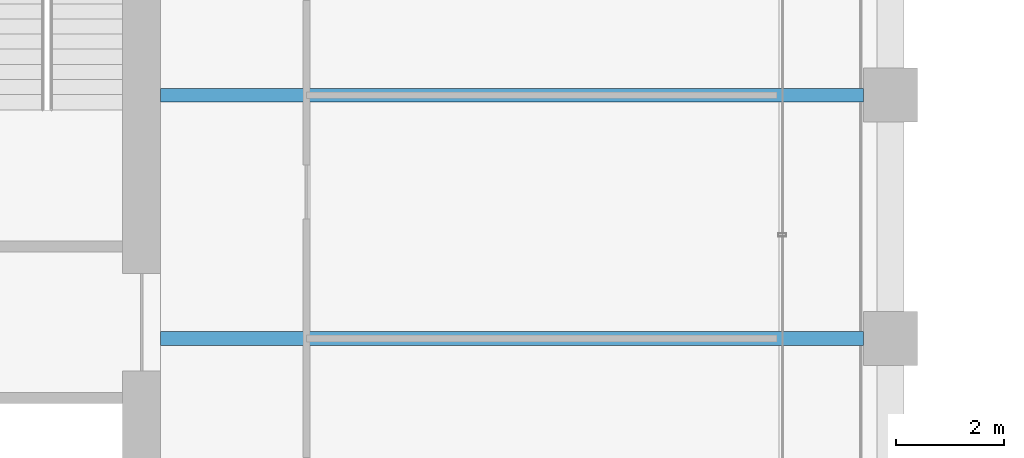
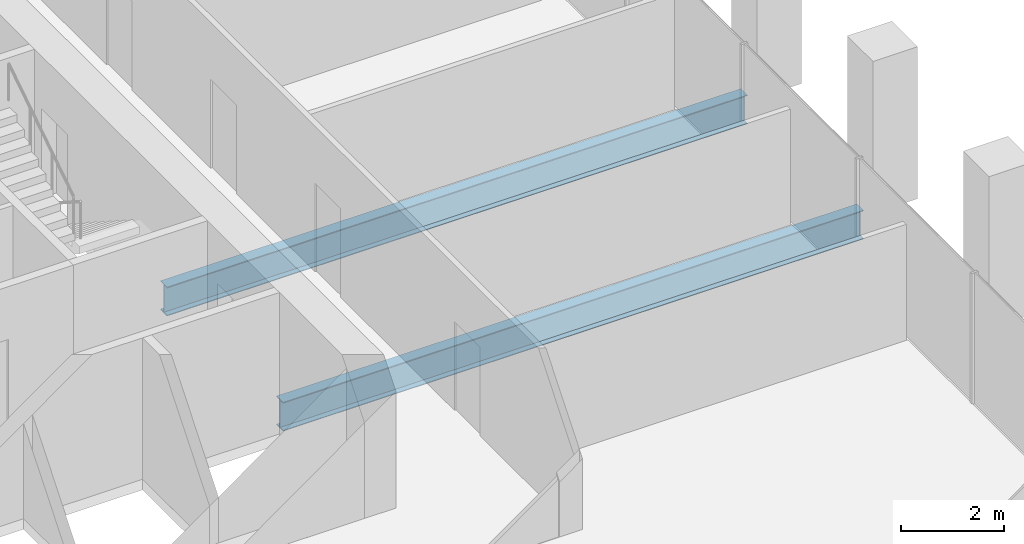
# One storey, part 16 of 47: 2 beams.
"""IFC4 building model written with IfcOpenShell, lengths in metres."""

from ifc_helpers import new_model, si_unit, direction, frame, origin, origin_2d, place, context, subcontext, project, spatial, i_section, extrude, material, material_profile, profile_set, type_object, element, save


model = new_model("IFC4")

# Units and contexts
model_context = context("Model", 3, precision=1e-05, world=origin(), true_north=direction((0.0, 1.0)))
body_context = subcontext(model_context, "Body", "Model", "MODEL_VIEW")
ifc_project = project(units=[si_unit("LENGTHUNIT", "METRE"), si_unit("AREAUNIT", "SQUARE_METRE"), si_unit("VOLUMEUNIT", "CUBIC_METRE"), si_unit("PLANEANGLEUNIT", "RADIAN"), si_unit("MASSUNIT", "GRAM", prefix="KILO")], contexts=[model_context])

# Site, building, storey
site_placement = place(None, origin())
site = spatial("IfcSite", under=ifc_project, at=site_placement, CompositionType="ELEMENT")
building_placement = place(site_placement, origin())
building = spatial("IfcBuilding", under=site, at=building_placement, Name="Altepetl Exchange Towers", CompositionType="ELEMENT")
storey_placement = place(building_placement, frame((0.0, 0.0, 95.60009765625)))
storey = spatial("IfcBuildingStorey", under=building, at=storey_placement, Name="L23", CompositionType="ELEMENT", Elevation=95.60009765625)

# Beams
ifc_material = material(Name="Steel S355", Category="steel")
ifc_material_profile = material_profile(ifc_material, i_section(OverallWidth=0.25390625, OverallDepth=0.68408203125, WebThickness=0.012451171875, FlangeThickness=0.018798828125, at=origin_2d()), Name="W27X94")
ifc_profile_set = profile_set([ifc_material_profile], Name="Steel S355")
beam_type = type_object("IfcBeamType", Name="Floor beam W27X94", PredefinedType="BEAM", material=ifc_profile_set)
for number, where, z_axis, x_axis, name in (
    (1, (58.5, 45.0, -0.4921875), (1.0, 0.0, 0.0), (0.0, 1.0, 0.0), "bm:A:L23:009"),
    (2, (58.5, 49.5, -0.4921875), (1.0, 0.0, 0.0), (0.0, 1.0, 0.0), "bm:A:L23:010"),
):
    element("IfcBeam", number, at=place(storey_placement, frame(where, z_axis=z_axis, x_axis=x_axis)), inside=storey, type_object=beam_type, Name=name, PredefinedType="BEAM", context=body_context, shape_type="SweptSolid", body=[
        extrude(i_section(OverallWidth=0.25390625, OverallDepth=0.68408203125, WebThickness=0.012451171875, FlangeThickness=0.018798828125, at=origin_2d()), origin(), (0.0, 0.0, 1.0), 13.0),
    ])

save(model, "model.ifc")
